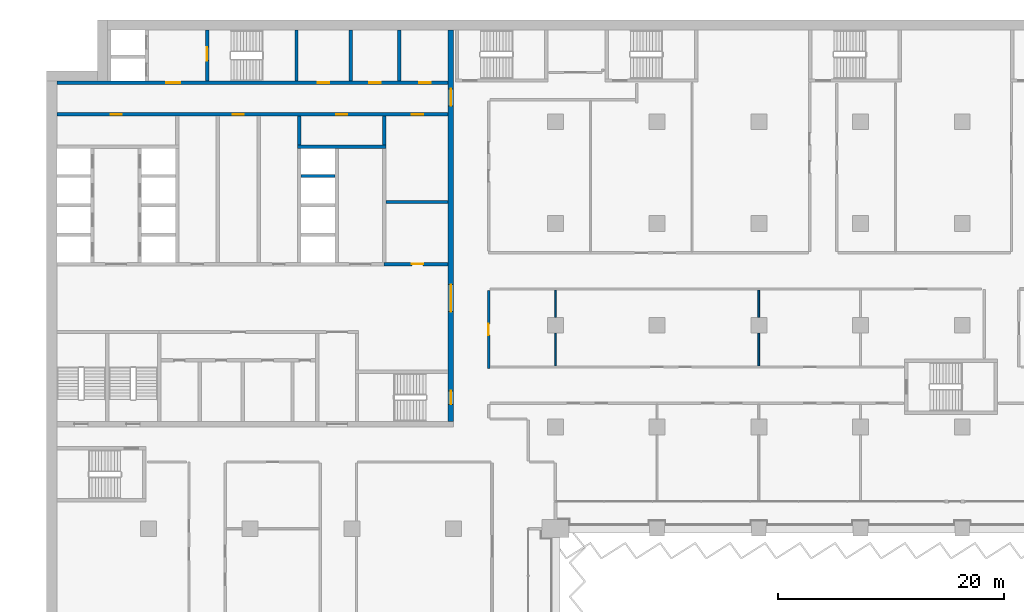
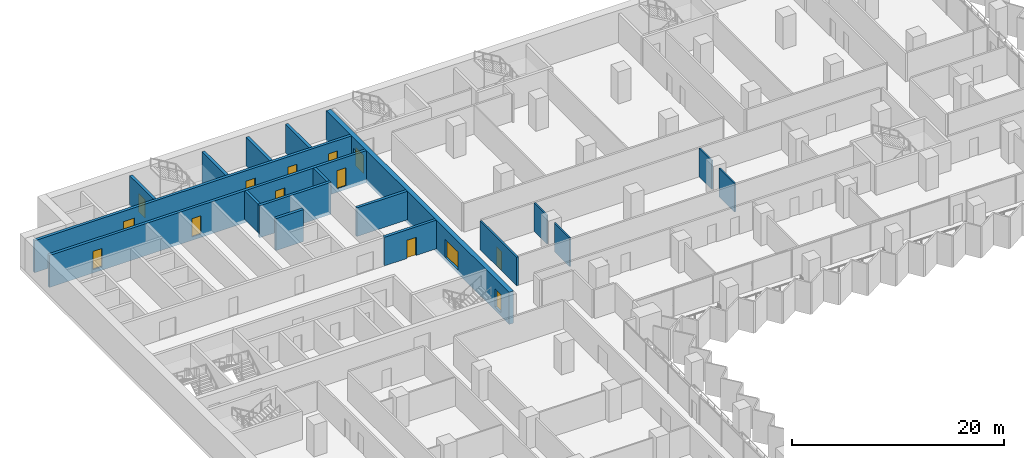
# One storey, part 15 of 28: 18 walls, 14 doors, 14 openings.
"""IFC4 building model written with IfcOpenShell, lengths in metres."""

from ifc_helpers import new_model, si_unit, direction, frame, frame_2d, origin, place, context, subcontext, project, spatial, rectangle, extrude, material, layer, layer_set, type_object, element, fill, save


model = new_model("IFC4")

# Units and contexts
model_context = context("Model", 3, precision=1e-05, world=origin(), true_north=direction((0.0, 1.0)))
body_context = subcontext(model_context, "Body", "Model", "MODEL_VIEW")
ifc_project = project(units=[si_unit("LENGTHUNIT", "METRE"), si_unit("AREAUNIT", "SQUARE_METRE"), si_unit("VOLUMEUNIT", "CUBIC_METRE"), si_unit("PLANEANGLEUNIT", "RADIAN"), si_unit("MASSUNIT", "GRAM", prefix="KILO")], contexts=[model_context])

# Site, building, storey
site_placement = place(None, origin())
site = spatial("IfcSite", under=ifc_project, at=site_placement, CompositionType="ELEMENT")
building_placement = place(site_placement, origin())
building = spatial("IfcBuilding", under=site, at=building_placement, Name="Hunhe Ridgeline Campus", CompositionType="ELEMENT")
storey_placement = place(building_placement, frame((0.0, 0.0, 72.800048828125)))
storey = spatial("IfcBuildingStorey", under=building, at=storey_placement, Name="L17", CompositionType="ELEMENT", Elevation=72.800048828125)

# Wall, opening, door
ifc_material_1 = material(Name="Masonry concrete blockwork", Category="masonry")
ifc_layer_1 = layer(ifc_material_1, 0.300048828125)
ifc_layer_set_1 = layer_set([ifc_layer_1], Name="Core room partition 300 concrete block")
wall_type_1 = type_object("IfcWallType", Name="Core room partition 300 concrete block", PredefinedType="PARTITIONING", material=ifc_layer_set_1)
wall_1_placement = place(storey_placement, frame((29.85009765625, 77.39990234375, 0.0), z_axis=(0.0, 0.0, 1.0), x_axis=(1.0, 0.0, 0.0)))
wall_1 = element("IfcWall", 1, at=wall_1_placement, inside=storey, type_object=wall_type_1, Name="L17 core partition 15", PredefinedType="PARTITIONING", context=body_context, shape_type="SweptSolid", body=[
    extrude(rectangle(XDim=5.64990234375, YDim=0.300048828125, at=frame_2d((2.824951171875, 0.0))), origin(), (0.0, 0.0, 1.0), 3.300048828125),
])
opening_1_placement = place(wall_1_placement, frame((2.449951171875, 0.0, 0.0)))
opening_1 = element("IfcOpeningElement", 2, at=opening_1_placement, cuts=wall_1, Name="Opening CD32", PredefinedType="OPENING", context=body_context, shape_type="SweptSolid", body=[
    extrude(rectangle(XDim=1.0, YDim=2.10009765625, at=frame_2d((0.5, 1.050048828125))), frame((0.0, 0.14990234375, 0.0), z_axis=(0.0, -1.0, 0.0), x_axis=(1.0, 0.0, 0.0)), (0.0, 0.0, 1.0), 0.300048828125),
])
ifc_material_2 = material(Name="Solid core timber door leaf", Category="wood")
door_type_1 = type_object("IfcDoorType", Name="Timber door 1000x2100", OperationType="SINGLE_SWING_LEFT", PredefinedType="DOOR", material=ifc_material_2)
door_1_placement = place(opening_1_placement, origin())
door_1 = element("IfcDoor", 3, at=door_1_placement, inside=storey, type_object=door_type_1, Name="L17 door ES0", OperationType="SINGLE_SWING_LEFT", OverallHeight=2.10009765625, OverallWidth=1.0, PredefinedType="DOOR", context=body_context, shape_type="SweptSolid", body=[
    extrude(rectangle(XDim=1.0, YDim=2.10009765625, at=frame_2d((0.5, 1.050048828125))), frame((0.0, 0.02490234375, 0.0), z_axis=(0.0, -1.0, 0.0), x_axis=(1.0, 0.0, 0.0)), (0.0, 0.0, 1.0), 0.050048828125),
])
fill(opening_1, door_1)

# Walls
wall_2_placement = place(storey_placement, frame((30.0, 82.89990234375, 0.0), z_axis=(0.0, 0.0, 1.0), x_axis=(1.0, 0.0, 0.0)))
element("IfcWall", 4, at=wall_2_placement, inside=storey, type_object=wall_type_1, Name="L17 core partition 22", PredefinedType="PARTITIONING", context=body_context, shape_type="SweptSolid", body=[
    extrude(rectangle(XDim=5.5, YDim=0.300048828125, at=frame_2d((2.75, 0.0))), origin(), (0.0, 0.0, 1.0), 3.300048828125),
])
wall_3_placement = place(storey_placement, frame((22.35009765625, 87.949951171875, 0.0), z_axis=(0.0, 0.0, 1.0), x_axis=(0.0, 1.0, 0.0)))
element("IfcWall", 5, at=wall_3_placement, inside=storey, type_object=wall_type_1, Name="L17 core partition 54", PredefinedType="PARTITIONING", context=body_context, shape_type="SweptSolid", body=[
    extrude(rectangle(XDim=2.550048828125, YDim=0.300048828125, at=frame_2d((1.27490234375, 0.0))), origin(), (0.0, 0.0, 1.0), 3.300048828125),
])
wall_4_placement = place(storey_placement, frame((26.89990234375, 93.60009765625, 0.0), z_axis=(0.0, 0.0, 1.0), x_axis=(0.0, 1.0, 0.0)))
element("IfcWall", 6, at=wall_4_placement, inside=storey, type_object=wall_type_1, Name="L17 core partition 58", PredefinedType="PARTITIONING", context=body_context, shape_type="SweptSolid", body=[
    extrude(rectangle(XDim=4.5, YDim=0.300048828125, at=frame_2d((2.25, 0.0))), origin(), (0.0, 0.0, 1.0), 3.300048828125),
])
wall_5_placement = place(storey_placement, frame((29.85009765625, 87.949951171875, 0.0), z_axis=(0.0, 0.0, 1.0), x_axis=(0.0, 1.0, 0.0)))
element("IfcWall", 7, at=wall_5_placement, inside=storey, type_object=wall_type_1, Name="L17 core partition 62", PredefinedType="PARTITIONING", context=body_context, shape_type="SweptSolid", body=[
    extrude(rectangle(XDim=2.550048828125, YDim=0.300048828125, at=frame_2d((1.27490234375, 0.0))), origin(), (0.0, 0.0, 1.0), 3.300048828125),
])
wall_6_placement = place(storey_placement, frame((31.199951171875, 93.60009765625, 0.0), z_axis=(0.0, 0.0, 1.0), x_axis=(0.0, 1.0, 0.0)))
element("IfcWall", 8, at=wall_6_placement, inside=storey, type_object=wall_type_1, Name="L17 core partition 63", PredefinedType="PARTITIONING", context=body_context, shape_type="SweptSolid", body=[
    extrude(rectangle(XDim=4.5, YDim=0.300048828125, at=frame_2d((2.25, 0.0))), origin(), (0.0, 0.0, 1.0), 3.300048828125),
])

# Wall, openings, doors
ifc_material_3 = material(Name="Concrete C80", Category="concrete")
ifc_layer_2 = layer(ifc_material_3, 0.5)
ifc_layer_set_2 = layer_set([ifc_layer_2], Name="Core wall 500 reinforced concrete C80")
wall_type_2 = type_object("IfcWallType", Name="Core wall 500 reinforced concrete C80", PredefinedType="SOLIDWALL", material=ifc_layer_set_2)
wall_7_placement = place(storey_placement, frame((35.75, 63.5, -0.400146484375), z_axis=(0.0, 0.0, 1.0), x_axis=(0.0, 1.0, 0.0)))
wall_7 = element("IfcWall", 9, at=wall_7_placement, inside=storey, type_object=wall_type_2, Name="L17 core wall 64", PredefinedType="SOLIDWALL", context=body_context, shape_type="SweptSolid", body=[
    extrude(rectangle(XDim=34.60009765625, YDim=0.5, at=frame_2d((17.300048828125, 0.0))), origin(), (0.0, 0.0, 1.0), 3.7001953125),
])
opening_2_placement = place(wall_7_placement, frame((9.699951171875, 0.0, 0.39990234375)))
opening_2 = element("IfcOpeningElement", 10, at=opening_2_placement, cuts=wall_7, Name="Opening CD4", PredefinedType="OPENING", context=body_context, shape_type="SweptSolid", body=[
    extrude(rectangle(XDim=2.39990234375, YDim=2.10009765625, at=frame_2d((1.199951171875, 1.050048828125))), frame((0.0, 0.25, 0.0), z_axis=(0.0, -1.0, 0.0), x_axis=(1.0, 0.0, 0.0)), (0.0, 0.0, 1.0), 0.5),
])
opening_3_placement = place(wall_7_placement, frame((27.89990234375, 0.0, 0.39990234375)))
opening_3 = element("IfcOpeningElement", 11, at=opening_3_placement, cuts=wall_7, Name="Opening CD5", PredefinedType="OPENING", context=body_context, shape_type="SweptSolid", body=[
    extrude(rectangle(XDim=1.5, YDim=2.10009765625, at=frame_2d((0.75, 1.050048828125))), frame((0.0, 0.25, 0.0), z_axis=(0.0, -1.0, 0.0), x_axis=(1.0, 0.0, 0.0)), (0.0, 0.0, 1.0), 0.5),
])
opening_4_placement = place(wall_7_placement, frame((1.5, 0.0, 0.39990234375)))
opening_4 = element("IfcOpeningElement", 12, at=opening_4_placement, cuts=wall_7, Name="Opening CD15", PredefinedType="OPENING", context=body_context, shape_type="SweptSolid", body=[
    extrude(rectangle(XDim=1.199951171875, YDim=2.10009765625, at=frame_2d((0.60009765625, 1.050048828125))), frame((0.0, 0.25, 0.0), z_axis=(0.0, -1.0, 0.0), x_axis=(1.0, 0.0, 0.0)), (0.0, 0.0, 1.0), 0.5),
])
ifc_material_4 = material(Name="Anodised aluminium and glass", Category="aluminium")
door_type_2 = type_object("IfcDoorType", Name="Glazed double door 2400x2100", OperationType="DOUBLE_DOOR_SINGLE_SWING", PredefinedType="DOOR", material=ifc_material_4)
door_2_placement = place(opening_2_placement, frame((2.39990234375, 0.0, 0.0), z_axis=(0.0, 0.0, 1.0), x_axis=(-1.0, 0.0, 0.0)))
door_2 = element("IfcDoor", 13, at=door_2_placement, inside=storey, type_object=door_type_2, Name="L17 door HALL-FLOOR", OperationType="DOUBLE_DOOR_SINGLE_SWING", OverallHeight=2.10009765625, OverallWidth=2.39990234375, PredefinedType="DOOR", context=body_context, shape_type="SweptSolid", body=[
    extrude(rectangle(XDim=2.39990234375, YDim=2.10009765625, at=frame_2d((1.199951171875, 1.050048828125))), frame((0.0, 0.02490234375, 0.0), z_axis=(0.0, -1.0, 0.0), x_axis=(1.0, 0.0, 0.0)), (0.0, 0.0, 1.0), 0.050048828125),
])
fill(opening_2, door_2)
ifc_material_5 = material(Name="Hollow metal fire door leaf")
door_type_3 = type_object("IfcDoorType", Name="Stair door 1200x2100 FD60", OperationType="SINGLE_SWING_LEFT", PredefinedType="DOOR", material=ifc_material_5)
door_3_placement = place(opening_4_placement, frame((1.199951171875, 0.0, 0.0), z_axis=(0.0, 0.0, 1.0), x_axis=(-1.0, 0.0, 0.0)))
door_3 = element("IfcDoor", 14, at=door_3_placement, inside=storey, type_object=door_type_3, Name="L17 door S2-FLOOR", OperationType="SINGLE_SWING_RIGHT", OverallHeight=2.10009765625, OverallWidth=1.199951171875, PredefinedType="DOOR", context=body_context, shape_type="SweptSolid", body=[
    extrude(rectangle(XDim=1.199951171875, YDim=2.10009765625, at=frame_2d((0.60009765625, 1.050048828125))), frame((0.0, 0.02490234375, 0.0), z_axis=(0.0, -1.0, 0.0), x_axis=(1.0, 0.0, 0.0)), (0.0, 0.0, 1.0), 0.050048828125),
])
fill(opening_4, door_3)
door_type_4 = type_object("IfcDoorType", Name="Timber door 1500x2100", OperationType="SINGLE_SWING_LEFT", PredefinedType="DOOR", material=ifc_material_2)
door_4_placement = place(opening_3_placement, frame((1.5, 0.0, 0.0), z_axis=(0.0, 0.0, 1.0), x_axis=(-1.0, 0.0, 0.0)))
door_4 = element("IfcDoor", 15, at=door_4_placement, inside=storey, type_object=door_type_4, Name="L17 door C1-FLOOR", OperationType="SINGLE_SWING_RIGHT", OverallHeight=2.10009765625, OverallWidth=1.5, PredefinedType="DOOR", context=body_context, shape_type="SweptSolid", body=[
    extrude(rectangle(XDim=1.5, YDim=2.10009765625, at=frame_2d((0.75, 1.050048828125))), frame((0.0, 0.02490234375, 0.0), z_axis=(0.0, -1.0, 0.0), x_axis=(1.0, 0.0, 0.0)), (0.0, 0.0, 1.0), 0.050048828125),
])
fill(opening_3, door_4)

# Wall, opening, door
ifc_material_6 = material(Name="Gypsum board partition")
ifc_layer_3 = layer(ifc_material_6, 0.199951171875)
ifc_layer_set_3 = layer_set([ifc_layer_3], Name="Corridor partition 200 gypsum board on steel studs")
wall_type_3 = type_object("IfcWallType", Name="Corridor partition 200 gypsum board on steel studs", PredefinedType="PARTITIONING", material=ifc_layer_set_3)
wall_8_placement = place(storey_placement, frame((39.10009765625, 75.08349609375, 0.0), z_axis=(0.0, 0.0, 1.0), x_axis=(0.0, -1.0, 0.0)))
wall_8 = element("IfcWall", 16, at=wall_8_placement, inside=storey, type_object=wall_type_3, Name="F-L17-wall-061", PredefinedType="PARTITIONING", context=body_context, shape_type="SweptSolid", body=[
    extrude(rectangle(XDim=6.92919921875, YDim=0.199951171875, at=frame_2d((3.464599609375, 0.0))), origin(), (0.0, 0.0, 1.0), 3.300048828125),
])
opening_5_placement = place(wall_8_placement, frame((2.964599609375, 0.0, 0.0)))
opening_5 = element("IfcOpeningElement", 17, at=opening_5_placement, cuts=wall_8, Name="Opening RD1-032", PredefinedType="OPENING", context=body_context, shape_type="SweptSolid", body=[
    extrude(rectangle(XDim=1.0, YDim=2.10009765625, at=frame_2d((0.5, 1.050048828125))), frame((0.0, 0.10009765625, 0.0), z_axis=(0.0, -1.0, 0.0), x_axis=(1.0, 0.0, 0.0)), (0.0, 0.0, 1.0), 0.199951171875),
])
ifc_material_7 = material(Name="Timber door leaf", Category="wood")
door_type_5 = type_object("IfcDoorType", Name="Single fire door 1000x2100 timber FD60", OperationType="NOTDEFINED", PredefinedType="DOOR", material=ifc_material_7)
door_5_placement = place(opening_5_placement, origin())
door_5 = element("IfcDoor", 18, at=door_5_placement, inside=storey, type_object=door_type_5, Name="F-L17-door-032", OperationType="SINGLE_SWING_RIGHT", OverallHeight=2.10009765625, OverallWidth=1.0, PredefinedType="DOOR", context=body_context, shape_type="SweptSolid", body=[
    extrude(rectangle(XDim=1.0, YDim=2.10009765625, at=frame_2d((0.5, 1.050048828125))), frame((0.0, 0.02490234375, 0.0), z_axis=(0.0, -1.0, 0.0), x_axis=(1.0, 0.0, 0.0)), (0.0, 0.0, 1.0), 0.050048828125),
])
fill(opening_5, door_5)

# Wall, openings, doors
ifc_layer_4 = layer(ifc_material_3, 0.300048828125)
ifc_layer_set_4 = layer_set([ifc_layer_4], Name="Lobby wall 300 reinforced concrete C80")
wall_type_4 = type_object("IfcWallType", Name="Lobby wall 300 reinforced concrete C80", PredefinedType="SOLIDWALL", material=ifc_layer_set_4)
wall_9_placement = place(storey_placement, frame((0.89990234375, 90.64990234375, -0.400146484375), z_axis=(0.0, 0.0, 1.0), x_axis=(1.0, 0.0, 0.0)))
wall_9 = element("IfcWall", 19, at=wall_9_placement, inside=storey, type_object=wall_type_4, Name="L17 core wall 28", PredefinedType="SOLIDWALL", context=body_context, shape_type="SweptSolid", body=[
    extrude(rectangle(XDim=34.60009765625, YDim=0.300048828125, at=frame_2d((17.300048828125, 0.0))), origin(), (0.0, 0.0, 1.0), 3.7001953125),
])
opening_6_placement = place(wall_9_placement, frame((4.75, 0.0, 0.39990234375)))
opening_6 = element("IfcOpeningElement", 20, at=opening_6_placement, cuts=wall_9, Name="Opening CD26", PredefinedType="OPENING", context=body_context, shape_type="SweptSolid", body=[
    extrude(rectangle(XDim=1.0, YDim=2.10009765625, at=frame_2d((0.5, 1.050048828125))), frame((0.0, 0.14990234375, 0.0), z_axis=(0.0, -1.0, 0.0), x_axis=(1.0, 0.0, 0.0)), (0.0, 0.0, 1.0), 0.300048828125),
])
opening_7_placement = place(wall_9_placement, frame((24.699951171875, 0.0, 0.39990234375)))
opening_7 = element("IfcOpeningElement", 21, at=opening_7_placement, cuts=wall_9, Name="Opening CD27", PredefinedType="OPENING", context=body_context, shape_type="SweptSolid", body=[
    extrude(rectangle(XDim=1.0, YDim=2.10009765625, at=frame_2d((0.5, 1.050048828125))), frame((0.0, 0.14990234375, 0.0), z_axis=(0.0, -1.0, 0.0), x_axis=(1.0, 0.0, 0.0)), (0.0, 0.0, 1.0), 0.300048828125),
])
opening_8_placement = place(wall_9_placement, frame((15.550048828125, 0.0, 0.39990234375)))
opening_8 = element("IfcOpeningElement", 22, at=opening_8_placement, cuts=wall_9, Name="Opening CD29", PredefinedType="OPENING", context=body_context, shape_type="SweptSolid", body=[
    extrude(rectangle(XDim=1.0, YDim=2.10009765625, at=frame_2d((0.5, 1.050048828125))), frame((0.0, 0.14990234375, 0.0), z_axis=(0.0, -1.0, 0.0), x_axis=(1.0, 0.0, 0.0)), (0.0, 0.0, 1.0), 0.300048828125),
])
opening_9_placement = place(wall_9_placement, frame((31.39990234375, 0.0, 0.39990234375)))
opening_9 = element("IfcOpeningElement", 23, at=opening_9_placement, cuts=wall_9, Name="Opening CD33", PredefinedType="OPENING", context=body_context, shape_type="SweptSolid", body=[
    extrude(rectangle(XDim=1.0, YDim=2.10009765625, at=frame_2d((0.5, 1.050048828125))), frame((0.0, 0.14990234375, 0.0), z_axis=(0.0, -1.0, 0.0), x_axis=(1.0, 0.0, 0.0)), (0.0, 0.0, 1.0), 0.300048828125),
])
door_6_placement = place(opening_6_placement, frame((1.0, 0.0, 0.0), z_axis=(0.0, 0.0, 1.0), x_axis=(-1.0, 0.0, 0.0)))
door_6 = element("IfcDoor", 24, at=door_6_placement, inside=storey, type_object=door_type_1, Name="L17 door NR-0", OperationType="SINGLE_SWING_RIGHT", OverallHeight=2.10009765625, OverallWidth=1.0, PredefinedType="DOOR", context=body_context, shape_type="SweptSolid", body=[
    extrude(rectangle(XDim=1.0, YDim=2.10009765625, at=frame_2d((0.5, 1.050048828125))), frame((0.0, 0.02490234375, 0.0), z_axis=(0.0, -1.0, 0.0), x_axis=(1.0, 0.0, 0.0)), (0.0, 0.0, 1.0), 0.050048828125),
])
fill(opening_6, door_6)
door_7_placement = place(opening_7_placement, frame((1.0, 0.0, 0.0), z_axis=(0.0, 0.0, 1.0), x_axis=(-1.0, 0.0, 0.0)))
door_7 = element("IfcDoor", 25, at=door_7_placement, inside=storey, type_object=door_type_1, Name="L17 door NR-1", OperationType="SINGLE_SWING_LEFT", OverallHeight=2.10009765625, OverallWidth=1.0, PredefinedType="DOOR", context=body_context, shape_type="SweptSolid", body=[
    extrude(rectangle(XDim=1.0, YDim=2.10009765625, at=frame_2d((0.5, 1.050048828125))), frame((0.0, 0.02490234375, 0.0), z_axis=(0.0, -1.0, 0.0), x_axis=(1.0, 0.0, 0.0)), (0.0, 0.0, 1.0), 0.050048828125),
])
fill(opening_7, door_7)
door_8_placement = place(opening_8_placement, frame((1.0, 0.0, 0.0), z_axis=(0.0, 0.0, 1.0), x_axis=(-1.0, 0.0, 0.0)))
door_8 = element("IfcDoor", 26, at=door_8_placement, inside=storey, type_object=door_type_1, Name="L17 door VD-HR1", OperationType="SINGLE_SWING_LEFT", OverallHeight=2.10009765625, OverallWidth=1.0, PredefinedType="DOOR", context=body_context, shape_type="SweptSolid", body=[
    extrude(rectangle(XDim=1.0, YDim=2.10009765625, at=frame_2d((0.5, 1.050048828125))), frame((0.0, 0.02490234375, 0.0), z_axis=(0.0, -1.0, 0.0), x_axis=(1.0, 0.0, 0.0)), (0.0, 0.0, 1.0), 0.050048828125),
])
fill(opening_8, door_8)
door_9_placement = place(opening_9_placement, frame((1.0, 0.0, 0.0), z_axis=(0.0, 0.0, 1.0), x_axis=(-1.0, 0.0, 0.0)))
door_9 = element("IfcDoor", 27, at=door_9_placement, inside=storey, type_object=door_type_1, Name="L17 door ES1", OperationType="SINGLE_SWING_LEFT", OverallHeight=2.10009765625, OverallWidth=1.0, PredefinedType="DOOR", context=body_context, shape_type="SweptSolid", body=[
    extrude(rectangle(XDim=1.0, YDim=2.10009765625, at=frame_2d((0.5, 1.050048828125))), frame((0.0, 0.02490234375, 0.0), z_axis=(0.0, -1.0, 0.0), x_axis=(1.0, 0.0, 0.0)), (0.0, 0.0, 1.0), 0.050048828125),
])
fill(opening_9, door_9)

# Walls
ifc_layer_5 = layer(ifc_material_6, 0.14990234375)
ifc_layer_set_5 = layer_set([ifc_layer_5], Name="Room partition 150 gypsum board on steel studs")
wall_type_5 = type_object("IfcWallType", Name="Room partition 150 gypsum board on steel studs", PredefinedType="PARTITIONING", material=ifc_layer_set_5)
wall_10_placement = place(storey_placement, frame((45.0, 71.300048828125, 0.0), z_axis=(0.0, 0.0, 1.0), x_axis=(0.0, -1.0, 0.0)))
element("IfcWall", 28, at=wall_10_placement, inside=storey, type_object=wall_type_5, Name="F-L17-wall-066", PredefinedType="PARTITIONING", context=body_context, shape_type="SweptSolid", body=[
    extrude(rectangle(XDim=2.900146484375, YDim=0.14990234375, at=frame_2d((1.4501953125, 0.0))), origin(), (0.0, 0.0, 1.0), 3.300048828125),
])
wall_11_placement = place(storey_placement, frame((45.0, 75.10009765625, 0.0), z_axis=(0.0, 0.0, 1.0), x_axis=(0.0, -1.0, 0.0)))
element("IfcWall", 29, at=wall_11_placement, inside=storey, type_object=wall_type_5, Name="F-L17-wall-067", PredefinedType="PARTITIONING", context=body_context, shape_type="SweptSolid", body=[
    extrude(rectangle(XDim=2.400146484375, YDim=0.14990234375, at=frame_2d((1.2001953125, 0.0))), origin(), (0.0, 0.0, 1.0), 3.300048828125),
])
wall_12_placement = place(storey_placement, frame((63.0, 71.300048828125, 0.0), z_axis=(0.0, 0.0, 1.0), x_axis=(0.0, -1.0, 0.0)))
element("IfcWall", 30, at=wall_12_placement, inside=storey, type_object=wall_type_5, Name="F-L17-wall-076", PredefinedType="PARTITIONING", context=body_context, shape_type="SweptSolid", body=[
    extrude(rectangle(XDim=2.900146484375, YDim=0.14990234375, at=frame_2d((1.4501953125, 0.0))), origin(), (0.0, 0.0, 1.0), 3.300048828125),
])
wall_13_placement = place(storey_placement, frame((63.0, 75.10009765625, 0.0), z_axis=(0.0, 0.0, 1.0), x_axis=(0.0, -1.0, 0.0)))
element("IfcWall", 31, at=wall_13_placement, inside=storey, type_object=wall_type_5, Name="F-L17-wall-077", PredefinedType="PARTITIONING", context=body_context, shape_type="SweptSolid", body=[
    extrude(rectangle(XDim=2.400146484375, YDim=0.14990234375, at=frame_2d((1.2001953125, 0.0))), origin(), (0.0, 0.0, 1.0), 3.300048828125),
])
ifc_layer_6 = layer(ifc_material_3, 0.300048828125)
ifc_layer_set_6 = layer_set([ifc_layer_6], Name="Shaft wall 300 reinforced concrete C80")
wall_type_6 = type_object("IfcWallType", Name="Shaft wall 300 reinforced concrete C80", PredefinedType="SOLIDWALL", material=ifc_layer_set_6)
wall_14_placement = place(storey_placement, frame((22.5, 85.199951171875, -0.400146484375), z_axis=(0.0, 0.0, 1.0), x_axis=(1.0, 0.0, 0.0)))
element("IfcWall", 32, at=wall_14_placement, inside=storey, type_object=wall_type_6, Name="L17 core wall 25", PredefinedType="SOLIDWALL", context=body_context, shape_type="SweptSolid", body=[
    extrude(rectangle(XDim=3.0, YDim=0.300048828125, at=frame_2d((1.5, 0.0))), origin(), (0.0, 0.0, 1.0), 3.7001953125),
])
wall_15_placement = place(storey_placement, frame((22.199951171875, 87.800048828125, -0.400146484375), z_axis=(0.0, 0.0, 1.0), x_axis=(1.0, 0.0, 0.0)))
element("IfcWall", 33, at=wall_15_placement, inside=storey, type_object=wall_type_6, Name="L17 core wall 27", PredefinedType="SOLIDWALL", context=body_context, shape_type="SweptSolid", body=[
    extrude(rectangle(XDim=7.800048828125, YDim=0.300048828125, at=frame_2d((3.89990234375, 0.0))), origin(), (0.0, 0.0, 1.0), 3.7001953125),
])

# Wall, openings, doors
wall_16_placement = place(storey_placement, frame((0.89990234375, 93.449951171875, -0.400146484375), z_axis=(0.0, 0.0, 1.0), x_axis=(1.0, 0.0, 0.0)))
wall_16 = element("IfcWall", 34, at=wall_16_placement, inside=storey, type_object=wall_type_6, Name="L17 core wall 29", PredefinedType="SOLIDWALL", context=body_context, shape_type="SweptSolid", body=[
    extrude(rectangle(XDim=34.60009765625, YDim=0.300048828125, at=frame_2d((17.300048828125, 0.0))), origin(), (0.0, 0.0, 1.0), 3.7001953125),
])
opening_10_placement = place(wall_16_placement, frame((9.699951171875, 0.0, 0.39990234375)))
opening_10 = element("IfcOpeningElement", 35, at=opening_10_placement, cuts=wall_16, Name="Opening CD3", PredefinedType="OPENING", context=body_context, shape_type="SweptSolid", body=[
    extrude(rectangle(XDim=1.199951171875, YDim=2.10009765625, at=frame_2d((0.60009765625, 1.050048828125))), frame((0.0, 0.14990234375, 0.0), z_axis=(0.0, -1.0, 0.0), x_axis=(1.0, 0.0, 0.0)), (0.0, 0.0, 1.0), 0.300048828125),
])
opening_11_placement = place(wall_16_placement, frame((23.10009765625, 0.0, 0.39990234375)))
opening_11 = element("IfcOpeningElement", 36, at=opening_11_placement, cuts=wall_16, Name="Opening CD34", PredefinedType="OPENING", context=body_context, shape_type="SweptSolid", body=[
    extrude(rectangle(XDim=1.0, YDim=2.10009765625, at=frame_2d((0.5, 1.050048828125))), frame((0.0, 0.14990234375, 0.0), z_axis=(0.0, -1.0, 0.0), x_axis=(1.0, 0.0, 0.0)), (0.0, 0.0, 1.0), 0.300048828125),
])
opening_12_placement = place(wall_16_placement, frame((27.64990234375, 0.0, 0.39990234375)))
opening_12 = element("IfcOpeningElement", 37, at=opening_12_placement, cuts=wall_16, Name="Opening CD35", PredefinedType="OPENING", context=body_context, shape_type="SweptSolid", body=[
    extrude(rectangle(XDim=1.0, YDim=2.10009765625, at=frame_2d((0.5, 1.050048828125))), frame((0.0, 0.14990234375, 0.0), z_axis=(0.0, -1.0, 0.0), x_axis=(1.0, 0.0, 0.0)), (0.0, 0.0, 1.0), 0.300048828125),
])
opening_13_placement = place(wall_16_placement, frame((32.074951171875, 0.0, 0.39990234375)))
opening_13 = element("IfcOpeningElement", 38, at=opening_13_placement, cuts=wall_16, Name="Opening CD36", PredefinedType="OPENING", context=body_context, shape_type="SweptSolid", body=[
    extrude(rectangle(XDim=1.0, YDim=2.10009765625, at=frame_2d((0.5, 1.050048828125))), frame((0.0, 0.14990234375, 0.0), z_axis=(0.0, -1.0, 0.0), x_axis=(1.0, 0.0, 0.0)), (0.0, 0.0, 1.0), 0.300048828125),
])
door_type_6 = type_object("IfcDoorType", Name="Lobby door 1200x2100 FD60", OperationType="SINGLE_SWING_LEFT", PredefinedType="DOOR", material=ifc_material_5)
door_10_placement = place(opening_10_placement, frame((1.199951171875, 0.0, 0.0), z_axis=(0.0, 0.0, 1.0), x_axis=(-1.0, 0.0, 0.0)))
door_10 = element("IfcDoor", 39, at=door_10_placement, inside=storey, type_object=door_type_6, Name="L17 door FF-C1", OperationType="SINGLE_SWING_LEFT", OverallHeight=2.10009765625, OverallWidth=1.199951171875, PredefinedType="DOOR", context=body_context, shape_type="SweptSolid", body=[
    extrude(rectangle(XDim=1.199951171875, YDim=2.10009765625, at=frame_2d((0.60009765625, 1.050048828125))), frame((0.0, 0.02490234375, 0.0), z_axis=(0.0, -1.0, 0.0), x_axis=(1.0, 0.0, 0.0)), (0.0, 0.0, 1.0), 0.050048828125),
])
fill(opening_10, door_10)
door_11_placement = place(opening_11_placement, origin())
door_11 = element("IfcDoor", 40, at=door_11_placement, inside=storey, type_object=door_type_1, Name="L17 door NB0", OperationType="SINGLE_SWING_LEFT", OverallHeight=2.10009765625, OverallWidth=1.0, PredefinedType="DOOR", context=body_context, shape_type="SweptSolid", body=[
    extrude(rectangle(XDim=1.0, YDim=2.10009765625, at=frame_2d((0.5, 1.050048828125))), frame((0.0, 0.02490234375, 0.0), z_axis=(0.0, -1.0, 0.0), x_axis=(1.0, 0.0, 0.0)), (0.0, 0.0, 1.0), 0.050048828125),
])
fill(opening_11, door_11)
door_12_placement = place(opening_12_placement, origin())
door_12 = element("IfcDoor", 41, at=door_12_placement, inside=storey, type_object=door_type_1, Name="L17 door NB1", OperationType="SINGLE_SWING_RIGHT", OverallHeight=2.10009765625, OverallWidth=1.0, PredefinedType="DOOR", context=body_context, shape_type="SweptSolid", body=[
    extrude(rectangle(XDim=1.0, YDim=2.10009765625, at=frame_2d((0.5, 1.050048828125))), frame((0.0, 0.02490234375, 0.0), z_axis=(0.0, -1.0, 0.0), x_axis=(1.0, 0.0, 0.0)), (0.0, 0.0, 1.0), 0.050048828125),
])
fill(opening_12, door_12)
door_13_placement = place(opening_13_placement, origin())
door_13 = element("IfcDoor", 42, at=door_13_placement, inside=storey, type_object=door_type_1, Name="L17 door NB2", OperationType="SINGLE_SWING_LEFT", OverallHeight=2.10009765625, OverallWidth=1.0, PredefinedType="DOOR", context=body_context, shape_type="SweptSolid", body=[
    extrude(rectangle(XDim=1.0, YDim=2.10009765625, at=frame_2d((0.5, 1.050048828125))), frame((0.0, 0.02490234375, 0.0), z_axis=(0.0, -1.0, 0.0), x_axis=(1.0, 0.0, 0.0)), (0.0, 0.0, 1.0), 0.050048828125),
])
fill(opening_13, door_13)

# Wall, opening, door
ifc_layer_7 = layer(ifc_material_3, 0.300048828125)
ifc_layer_set_7 = layer_set([ifc_layer_7], Name="Stair wall 300 reinforced concrete C80")
wall_type_7 = type_object("IfcWallType", Name="Stair wall 300 reinforced concrete C80", PredefinedType="SOLIDWALL", material=ifc_layer_set_7)
wall_17_placement = place(storey_placement, frame((14.199951171875, 93.60009765625, -0.400146484375), z_axis=(0.0, 0.0, 1.0), x_axis=(0.0, 1.0, 0.0)))
wall_17 = element("IfcWall", 43, at=wall_17_placement, inside=storey, type_object=wall_type_7, Name="L17 core wall 46", PredefinedType="SOLIDWALL", context=body_context, shape_type="SweptSolid", body=[
    extrude(rectangle(XDim=4.5, YDim=0.300048828125, at=frame_2d((2.25, 0.0))), origin(), (0.0, 0.0, 1.0), 3.7001953125),
])
opening_14_placement = place(wall_17_placement, frame((1.800048828125, 0.0, 0.39990234375)))
opening_14 = element("IfcOpeningElement", 44, at=opening_14_placement, cuts=wall_17, Name="Opening CD16", PredefinedType="OPENING", context=body_context, shape_type="SweptSolid", body=[
    extrude(rectangle(XDim=1.199951171875, YDim=2.10009765625, at=frame_2d((0.60009765625, 1.050048828125))), frame((0.0, 0.14990234375, 0.0), z_axis=(0.0, -1.0, 0.0), x_axis=(1.0, 0.0, 0.0)), (0.0, 0.0, 1.0), 0.300048828125),
])
door_14_placement = place(opening_14_placement, origin())
door_14 = element("IfcDoor", 45, at=door_14_placement, inside=storey, type_object=door_type_3, Name="L17 door S1-FF", OperationType="SINGLE_SWING_LEFT", OverallHeight=2.10009765625, OverallWidth=1.199951171875, PredefinedType="DOOR", context=body_context, shape_type="SweptSolid", body=[
    extrude(rectangle(XDim=1.199951171875, YDim=2.10009765625, at=frame_2d((0.60009765625, 1.050048828125))), frame((0.0, 0.02490234375, 0.0), z_axis=(0.0, -1.0, 0.0), x_axis=(1.0, 0.0, 0.0)), (0.0, 0.0, 1.0), 0.050048828125),
])
fill(opening_14, door_14)

# Wall
wall_18_placement = place(storey_placement, frame((22.10009765625, 93.60009765625, -0.400146484375), z_axis=(0.0, 0.0, 1.0), x_axis=(0.0, 1.0, 0.0)))
element("IfcWall", 46, at=wall_18_placement, inside=storey, type_object=wall_type_7, Name="L17 core wall 52", PredefinedType="SOLIDWALL", context=body_context, shape_type="SweptSolid", body=[
    extrude(rectangle(XDim=4.5, YDim=0.300048828125, at=frame_2d((2.25, 0.0))), origin(), (0.0, 0.0, 1.0), 3.7001953125),
])

save(model, "model.ifc")
